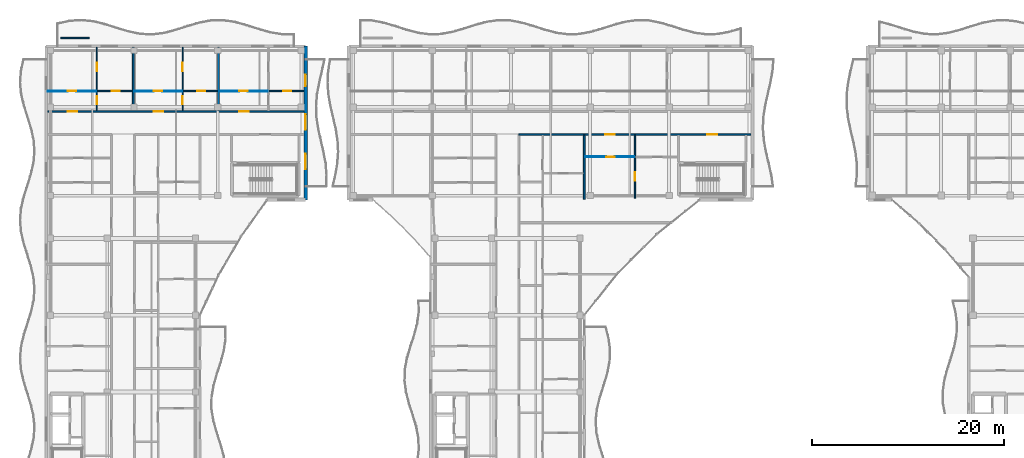
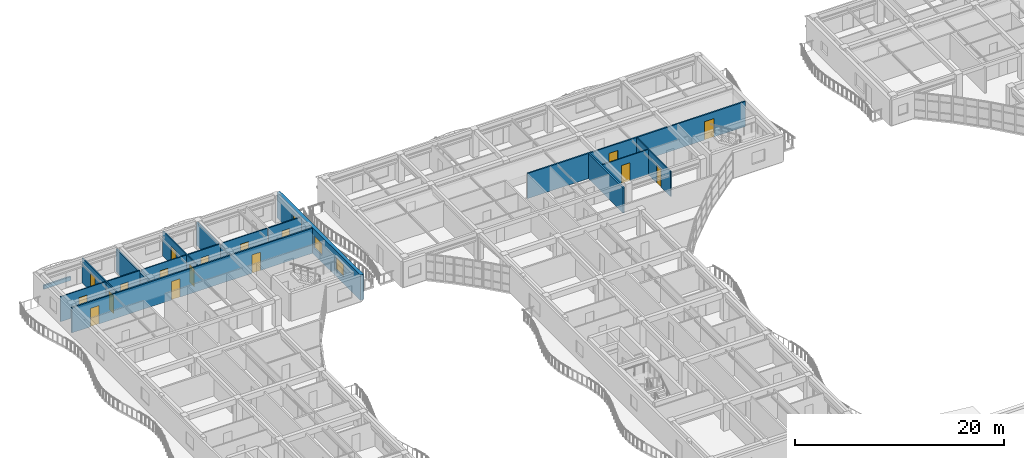
# One storey, part 89 of 128: 18 doors, 17 walls, 2 windows, 20 openings.
"""IFC4 building model written with IfcOpenShell, lengths in metres."""

from ifc_helpers import new_model, si_unit, direction, frame, frame_2d, origin, place, context, subcontext, project, spatial, rectangle, extrude, material, layer, layer_set, type_object, element, fill, save


model = new_model("IFC4")

# Units and contexts
model_context = context("Model", 3, precision=1e-05, world=origin(), true_north=direction((0.0, 1.0)))
body_context = subcontext(model_context, "Body", "Model", "MODEL_VIEW")
ifc_project = project(units=[si_unit("LENGTHUNIT", "METRE"), si_unit("AREAUNIT", "SQUARE_METRE"), si_unit("VOLUMEUNIT", "CUBIC_METRE"), si_unit("PLANEANGLEUNIT", "RADIAN"), si_unit("MASSUNIT", "GRAM", prefix="KILO")], contexts=[model_context])

# Site, building, storey
site_placement = place(None, origin())
site = spatial("IfcSite", under=ifc_project, at=site_placement, CompositionType="ELEMENT")
building_placement = place(site_placement, origin())
building = spatial("IfcBuilding", under=site, at=building_placement, Name="Keldmere Railside Commons", CompositionType="ELEMENT")
storey_placement = place(building_placement, frame((0.0, 0.0, 4.159912109375)))
storey = spatial("IfcBuildingStorey", under=building, at=storey_placement, Name="L01", CompositionType="ELEMENT", Elevation=4.159912109375)

# Walls
ifc_material_1 = material(Name="Acoustic Gypsum Board Partition", Category="gypsum")
ifc_layer_1 = layer(ifc_material_1, 0.179931640625, Name="Acoustic Demising Partition 180")
ifc_layer_set_1 = layer_set([ifc_layer_1], Name="Acoustic Gypsum Board Partition")
wall_type_1 = type_object("IfcWallType", Name="Acoustic Demising Partition 180", PredefinedType="PARTITIONING", material=ifc_layer_set_1)
for number, where, z_axis, x_axis, name in (
    (1, (17.06005859375, 109.280029296875, 0.0), (0.0, 0.0, 1.0), (0.0, 1.0, 0.0), "IW-1 IW-L01-0227"),
    (2, (25.93994140625, 109.280029296875, 0.0), (0.0, 0.0, 1.0), (0.0, 1.0, 0.0), "IW-1 IW-L01-0228"),
):
    element("IfcWall", number, at=place(storey_placement, frame(where, z_axis=z_axis, x_axis=x_axis)), inside=storey, type_object=wall_type_1, Name=name, PredefinedType="PARTITIONING", context=body_context, shape_type="SweptSolid", body=[
        extrude(rectangle(XDim=6.599853515625, YDim=0.179931640625, at=frame_2d((3.2998046875, 0.0))), origin(), (0.0, 0.0, 1.0), 2.68017578125),
    ])
wall_1_placement = place(storey_placement, frame((64.0, 100.050048828125, 0.0), z_axis=(0.0, 0.0, 1.0), x_axis=(0.0, 1.0, 0.0)))
element("IfcWall", 3, at=wall_1_placement, inside=storey, type_object=wall_type_1, Name="IW-1 IW-L01-0511", PredefinedType="PARTITIONING", context=body_context, shape_type="SweptSolid", body=[
    extrude(rectangle(XDim=6.669921875, YDim=0.179931640625, at=frame_2d((3.3349609375, 0.0))), origin(), (0.0, 0.0, 1.0), 2.93505859375),
])

# Wall, openings, doors
ifc_layer_2 = layer(ifc_material_1, 0.1201171875, Name="Apartment Interior Partition 120")
ifc_layer_set_2 = layer_set([ifc_layer_2], Name="Acoustic Gypsum Board Partition")
wall_type_2 = type_object("IfcWallType", Name="Apartment Interior Partition 120", PredefinedType="PARTITIONING", material=ifc_layer_set_2)
wall_2_placement = place(storey_placement, frame((13.280029296875, 109.280029296875, 0.0), z_axis=(0.0, 0.0, 1.0), x_axis=(0.0, 1.0, 0.0)))
wall_2 = element("IfcWall", 4, at=wall_2_placement, inside=storey, type_object=wall_type_2, Name="IW-4 IW-L01-0229", PredefinedType="PARTITIONING", context=body_context, shape_type="SweptSolid", body=[
    extrude(rectangle(XDim=6.599853515625, YDim=0.1201171875, at=frame_2d((3.2998046875, 0.0))), origin(), (0.0, 0.0, 1.0), 2.93505859375),
])
opening_1_placement = place(wall_2_placement, frame((0.656005859375, 0.0, 0.0)))
opening_1 = element("IfcOpeningElement", 5, at=opening_1_placement, cuts=wall_2, Name="Opening ID-04", PredefinedType="OPENING", context=body_context, shape_type="SweptSolid", body=[
    extrude(rectangle(XDim=0.860107421875, YDim=2.10009765625, at=frame_2d((0.43017578125, 1.050048828125))), frame((0.0, 0.070068359375, 0.0), z_axis=(0.0, -1.0, 0.0), x_axis=(1.0, 0.0, 0.0)), (0.0, 0.0, 1.0), 0.14013671875),
])
opening_2_placement = place(wall_2_placement, frame((4.097412109375, 0.0, 0.0)))
opening_2 = element("IfcOpeningElement", 6, at=opening_2_placement, cuts=wall_2, Name="Opening ID-01", PredefinedType="OPENING", context=body_context, shape_type="SweptSolid", body=[
    extrude(rectangle(XDim=0.89990234375, YDim=2.10009765625, at=frame_2d((0.449951171875, 1.050048828125))), frame((0.0, 0.070068359375, 0.0), z_axis=(0.0, -1.0, 0.0), x_axis=(1.0, 0.0, 0.0)), (0.0, 0.0, 1.0), 0.14013671875),
])
ifc_material_2 = material(Name="Engineered Oak Timber", Category="wood")
door_type_1 = type_object("IfcDoorType", Name="Apartment Bathroom Door 860x2100", OperationType="NOTDEFINED", PredefinedType="DOOR", material=ifc_material_2)
door_1_placement = place(opening_1_placement, origin())
door_1 = element("IfcDoor", 7, at=door_1_placement, inside=storey, type_object=door_type_1, Name="ID-04 IDR-L01-0137", OperationType="SINGLE_SWING_LEFT", OverallHeight=2.10009765625, OverallWidth=0.860107421875, PredefinedType="DOOR", context=body_context, shape_type="SweptSolid", body=[
    extrude(rectangle(XDim=0.860107421875, YDim=2.10009765625, at=frame_2d((0.43017578125, 1.050048828125))), frame((0.0, 0.02490234375, 0.0), z_axis=(0.0, -1.0, 0.0), x_axis=(1.0, 0.0, 0.0)), (0.0, 0.0, 1.0), 0.050048828125),
])
fill(opening_1, door_1)
door_type_2 = type_object("IfcDoorType", Name="Primary Bedroom Door 900x2100", OperationType="NOTDEFINED", PredefinedType="DOOR", material=ifc_material_2)
door_2_placement = place(opening_2_placement, origin())
door_2 = element("IfcDoor", 8, at=door_2_placement, inside=storey, type_object=door_type_2, Name="ID-01 IDR-L01-0138", OperationType="SINGLE_SWING_RIGHT", OverallHeight=2.10009765625, OverallWidth=0.89990234375, PredefinedType="DOOR", context=body_context, shape_type="SweptSolid", body=[
    extrude(rectangle(XDim=0.89990234375, YDim=2.10009765625, at=frame_2d((0.449951171875, 1.050048828125))), frame((0.0, 0.02490234375, 0.0), z_axis=(0.0, -1.0, 0.0), x_axis=(1.0, 0.0, 0.0)), (0.0, 0.0, 1.0), 0.050048828125),
])
fill(opening_2, door_2)

wall_3_placement = place(storey_placement, frame((22.199951171875, 109.280029296875, 0.0), z_axis=(0.0, 0.0, 1.0), x_axis=(0.0, 1.0, 0.0)))
wall_3 = element("IfcWall", 9, at=wall_3_placement, inside=storey, type_object=wall_type_2, Name="IW-4 IW-L01-0232", PredefinedType="PARTITIONING", context=body_context, shape_type="SweptSolid", body=[
    extrude(rectangle(XDim=6.599853515625, YDim=0.1201171875, at=frame_2d((3.2998046875, 0.0))), origin(), (0.0, 0.0, 1.0), 2.93505859375),
])
opening_3_placement = place(wall_3_placement, frame((0.656005859375, 0.0, 0.0)))
opening_3 = element("IfcOpeningElement", 10, at=opening_3_placement, cuts=wall_3, Name="Opening ID-04", PredefinedType="OPENING", context=body_context, shape_type="SweptSolid", body=[
    extrude(rectangle(XDim=0.860107421875, YDim=2.10009765625, at=frame_2d((0.43017578125, 1.050048828125))), frame((0.0, 0.070068359375, 0.0), z_axis=(0.0, -1.0, 0.0), x_axis=(1.0, 0.0, 0.0)), (0.0, 0.0, 1.0), 0.14013671875),
])
opening_4_placement = place(wall_3_placement, frame((4.097412109375, 0.0, 0.0)))
opening_4 = element("IfcOpeningElement", 11, at=opening_4_placement, cuts=wall_3, Name="Opening ID-01", PredefinedType="OPENING", context=body_context, shape_type="SweptSolid", body=[
    extrude(rectangle(XDim=0.89990234375, YDim=2.10009765625, at=frame_2d((0.449951171875, 1.050048828125))), frame((0.0, 0.070068359375, 0.0), z_axis=(0.0, -1.0, 0.0), x_axis=(1.0, 0.0, 0.0)), (0.0, 0.0, 1.0), 0.14013671875),
])
door_3_placement = place(opening_3_placement, origin())
door_3 = element("IfcDoor", 12, at=door_3_placement, inside=storey, type_object=door_type_1, Name="ID-04 IDR-L01-0142", OperationType="SINGLE_SWING_RIGHT", OverallHeight=2.10009765625, OverallWidth=0.860107421875, PredefinedType="DOOR", context=body_context, shape_type="SweptSolid", body=[
    extrude(rectangle(XDim=0.860107421875, YDim=2.10009765625, at=frame_2d((0.43017578125, 1.050048828125))), frame((0.0, 0.02490234375, 0.0), z_axis=(0.0, -1.0, 0.0), x_axis=(1.0, 0.0, 0.0)), (0.0, 0.0, 1.0), 0.050048828125),
])
fill(opening_3, door_3)
door_4_placement = place(opening_4_placement, origin())
door_4 = element("IfcDoor", 13, at=door_4_placement, inside=storey, type_object=door_type_2, Name="ID-01 IDR-L01-0143", OperationType="SINGLE_SWING_LEFT", OverallHeight=2.10009765625, OverallWidth=0.89990234375, PredefinedType="DOOR", context=body_context, shape_type="SweptSolid", body=[
    extrude(rectangle(XDim=0.89990234375, YDim=2.10009765625, at=frame_2d((0.449951171875, 1.050048828125))), frame((0.0, 0.02490234375, 0.0), z_axis=(0.0, -1.0, 0.0), x_axis=(1.0, 0.0, 0.0)), (0.0, 0.0, 1.0), 0.050048828125),
])
fill(opening_4, door_4)

# Wall, opening, door
wall_4_placement = place(storey_placement, frame((69.280029296875, 100.179931640625, 0.0), z_axis=(0.0, 0.0, 1.0), x_axis=(0.0, 1.0, 0.0)))
wall_4 = element("IfcWall", 14, at=wall_4_placement, inside=storey, type_object=wall_type_2, Name="IW-4 IW-L01-0539", PredefinedType="PARTITIONING", context=body_context, shape_type="SweptSolid", body=[
    extrude(rectangle(XDim=6.5400390625, YDim=0.1201171875, at=frame_2d((3.27001953125, 0.0))), origin(), (0.0, 0.0, 1.0), 2.93505859375),
])
opening_5_placement = place(wall_4_placement, frame((1.8017578125, 0.0, 0.0)))
opening_5 = element("IfcOpeningElement", 15, at=opening_5_placement, cuts=wall_4, Name="Opening ID-02", PredefinedType="OPENING", context=body_context, shape_type="SweptSolid", body=[
    extrude(rectangle(XDim=0.8798828125, YDim=2.10009765625, at=frame_2d((0.43994140625, 1.050048828125))), frame((0.0, 0.070068359375, 0.0), z_axis=(0.0, -1.0, 0.0), x_axis=(1.0, 0.0, 0.0)), (0.0, 0.0, 1.0), 0.14013671875),
])
door_type_3 = type_object("IfcDoorType", Name="Secondary Bedroom Door 880x2100", OperationType="NOTDEFINED", PredefinedType="DOOR", material=ifc_material_2)
door_5_placement = place(opening_5_placement, origin())
door_5 = element("IfcDoor", 16, at=door_5_placement, inside=storey, type_object=door_type_3, Name="ID-02 IDR-L01-0436", OperationType="SINGLE_SWING_RIGHT", OverallHeight=2.10009765625, OverallWidth=0.8798828125, PredefinedType="DOOR", context=body_context, shape_type="SweptSolid", body=[
    extrude(rectangle(XDim=0.8798828125, YDim=2.10009765625, at=frame_2d((0.43994140625, 1.050048828125))), frame((0.0, 0.02490234375, 0.0), z_axis=(0.0, -1.0, 0.0), x_axis=(1.0, 0.0, 0.0)), (0.0, 0.0, 1.0), 0.050048828125),
])
fill(opening_5, door_5)

# Wall
ifc_material_3 = material(Name="White Precast Concrete H-35 (C35/45)", Category="concrete")
ifc_layer_3 = layer(ifc_material_3, 0.169921875, Name="Balcony Planter Kerb Wall 170")
ifc_layer_set_3 = layer_set([ifc_layer_3], Name="White Precast Concrete H-35 (C35/45)")
wall_type_3 = type_object("IfcWallType", Name="Balcony Planter Kerb Wall 170", PredefinedType="PARAPET", material=ifc_layer_set_3)
wall_5_placement = place(storey_placement, frame((9.5, 116.85009765625, 0.0), z_axis=(0.0, 0.0, 1.0), x_axis=(1.0, 0.0, 0.0)))
element("IfcWall", 17, at=wall_5_placement, inside=storey, type_object=wall_type_3, Name="PW-2 PKBD-L01-0135", PredefinedType="PARAPET", context=body_context, shape_type="SweptSolid", body=[
    extrude(rectangle(XDim=3.0, YDim=0.169921875, at=frame_2d((1.5, 0.0))), origin(), (0.0, 0.0, 1.0), 0.4501953125),
])

# Wall, opening, door
ifc_layer_4 = layer(ifc_material_1, 0.10009765625, Name="Closet Light Partition 100")
ifc_layer_set_4 = layer_set([ifc_layer_4], Name="Acoustic Gypsum Board Partition")
wall_type_4 = type_object("IfcWallType", Name="Closet Light Partition 100", PredefinedType="PARTITIONING", material=ifc_layer_set_4)
wall_6_placement = place(storey_placement, frame((8.179931640625, 111.330078125, 0.0), z_axis=(0.0, 0.0, 1.0), x_axis=(1.0, 0.0, 0.0)))
wall_6 = element("IfcWall", 18, at=wall_6_placement, inside=storey, type_object=wall_type_4, Name="IW-6 IW-L01-0231", PredefinedType="PARTITIONING", context=body_context, shape_type="SweptSolid", body=[
    extrude(rectangle(XDim=5.0400390625, YDim=0.10009765625, at=frame_2d((2.52001953125, 0.0))), origin(), (0.0, 0.0, 1.0), 2.93505859375),
])
opening_6_placement = place(wall_6_placement, frame((2.0400390625, 0.0, 0.0)))
opening_6 = element("IfcOpeningElement", 19, at=opening_6_placement, cuts=wall_6, Name="Opening ID-03", PredefinedType="OPENING", context=body_context, shape_type="SweptSolid", body=[
    extrude(rectangle(XDim=0.919921875, YDim=2.10009765625, at=frame_2d((0.4599609375, 1.050048828125))), frame((0.0, 0.06005859375, 0.0), z_axis=(0.0, -1.0, 0.0), x_axis=(1.0, 0.0, 0.0)), (0.0, 0.0, 1.0), 0.1201171875),
])
door_type_4 = type_object("IfcDoorType", Name="Kitchen Pocket-Frame Swing Door 920x2100", OperationType="NOTDEFINED", PredefinedType="DOOR", material=ifc_material_2)
door_6_placement = place(opening_6_placement, origin())
door_6 = element("IfcDoor", 20, at=door_6_placement, inside=storey, type_object=door_type_4, Name="ID-03 IDR-L01-0136", OperationType="SINGLE_SWING_RIGHT", OverallHeight=2.10009765625, OverallWidth=0.919921875, PredefinedType="DOOR", context=body_context, shape_type="SweptSolid", body=[
    extrude(rectangle(XDim=0.919921875, YDim=2.10009765625, at=frame_2d((0.4599609375, 1.050048828125))), frame((0.0, 0.02490234375, 0.0), z_axis=(0.0, -1.0, 0.0), x_axis=(1.0, 0.0, 0.0)), (0.0, 0.0, 1.0), 0.050048828125),
])
fill(opening_6, door_6)

wall_7_placement = place(storey_placement, frame((17.14990234375, 111.330078125, 0.0), z_axis=(0.0, 0.0, 1.0), x_axis=(1.0, 0.0, 0.0)))
wall_7 = element("IfcWall", 21, at=wall_7_placement, inside=storey, type_object=wall_type_4, Name="IW-6 IW-L01-0234", PredefinedType="PARTITIONING", context=body_context, shape_type="SweptSolid", body=[
    extrude(rectangle(XDim=4.989990234375, YDim=0.10009765625, at=frame_2d((2.4951171875, 0.0))), origin(), (0.0, 0.0, 1.0), 2.93505859375),
])
opening_7_placement = place(wall_7_placement, frame((2.02001953125, 0.0, 0.0)))
opening_7 = element("IfcOpeningElement", 22, at=opening_7_placement, cuts=wall_7, Name="Opening ID-03", PredefinedType="OPENING", context=body_context, shape_type="SweptSolid", body=[
    extrude(rectangle(XDim=0.919921875, YDim=2.10009765625, at=frame_2d((0.4599609375, 1.050048828125))), frame((0.0, 0.06005859375, 0.0), z_axis=(0.0, -1.0, 0.0), x_axis=(1.0, 0.0, 0.0)), (0.0, 0.0, 1.0), 0.1201171875),
])
door_7_placement = place(opening_7_placement, origin())
door_7 = element("IfcDoor", 23, at=door_7_placement, inside=storey, type_object=door_type_4, Name="ID-03 IDR-L01-0141", OperationType="SINGLE_SWING_LEFT", OverallHeight=2.10009765625, OverallWidth=0.919921875, PredefinedType="DOOR", context=body_context, shape_type="SweptSolid", body=[
    extrude(rectangle(XDim=0.919921875, YDim=2.10009765625, at=frame_2d((0.4599609375, 1.050048828125))), frame((0.0, 0.02490234375, 0.0), z_axis=(0.0, -1.0, 0.0), x_axis=(1.0, 0.0, 0.0)), (0.0, 0.0, 1.0), 0.050048828125),
])
fill(opening_7, door_7)

wall_8_placement = place(storey_placement, frame((26.030029296875, 111.330078125, 0.0), z_axis=(0.0, 0.0, 1.0), x_axis=(1.0, 0.0, 0.0)))
wall_8 = element("IfcWall", 24, at=wall_8_placement, inside=storey, type_object=wall_type_4, Name="IW-6 IW-L01-0237", PredefinedType="PARTITIONING", context=body_context, shape_type="SweptSolid", body=[
    extrude(rectangle(XDim=5.0400390625, YDim=0.10009765625, at=frame_2d((2.52001953125, 0.0))), origin(), (0.0, 0.0, 1.0), 2.93505859375),
])
opening_8_placement = place(wall_8_placement, frame((2.0400390625, 0.0, 0.0)))
opening_8 = element("IfcOpeningElement", 25, at=opening_8_placement, cuts=wall_8, Name="Opening ID-03", PredefinedType="OPENING", context=body_context, shape_type="SweptSolid", body=[
    extrude(rectangle(XDim=0.919921875, YDim=2.10009765625, at=frame_2d((0.4599609375, 1.050048828125))), frame((0.0, 0.06005859375, 0.0), z_axis=(0.0, -1.0, 0.0), x_axis=(1.0, 0.0, 0.0)), (0.0, 0.0, 1.0), 0.1201171875),
])
door_8_placement = place(opening_8_placement, origin())
door_8 = element("IfcDoor", 26, at=door_8_placement, inside=storey, type_object=door_type_4, Name="ID-03 IDR-L01-0146", OperationType="SINGLE_SWING_RIGHT", OverallHeight=2.10009765625, OverallWidth=0.919921875, PredefinedType="DOOR", context=body_context, shape_type="SweptSolid", body=[
    extrude(rectangle(XDim=0.919921875, YDim=2.10009765625, at=frame_2d((0.4599609375, 1.050048828125))), frame((0.0, 0.02490234375, 0.0), z_axis=(0.0, -1.0, 0.0), x_axis=(1.0, 0.0, 0.0)), (0.0, 0.0, 1.0), 0.050048828125),
])
fill(opening_8, door_8)

wall_9_placement = place(storey_placement, frame((64.090087890625, 104.469970703125, 0.0), z_axis=(0.0, 0.0, 1.0), x_axis=(1.0, 0.0, 0.0)))
wall_9 = element("IfcWall", 27, at=wall_9_placement, inside=storey, type_object=wall_type_4, Name="IW-6 IW-L01-0541", PredefinedType="PARTITIONING", context=body_context, shape_type="SweptSolid", body=[
    extrude(rectangle(XDim=5.1298828125, YDim=0.10009765625, at=frame_2d((2.56494140625, 0.0))), origin(), (0.0, 0.0, 1.0), 2.93505859375),
])
opening_9_placement = place(wall_9_placement, frame((2.1796875, 0.0, 0.0)))
opening_9 = element("IfcOpeningElement", 28, at=opening_9_placement, cuts=wall_9, Name="Opening ID-03", PredefinedType="OPENING", context=body_context, shape_type="SweptSolid", body=[
    extrude(rectangle(XDim=0.919921875, YDim=2.10009765625, at=frame_2d((0.4599609375, 1.050048828125))), frame((0.0, 0.06005859375, 0.0), z_axis=(0.0, -1.0, 0.0), x_axis=(1.0, 0.0, 0.0)), (0.0, 0.0, 1.0), 0.1201171875),
])
door_9_placement = place(opening_9_placement, origin())
door_9 = element("IfcDoor", 29, at=door_9_placement, inside=storey, type_object=door_type_4, Name="ID-03 IDR-L01-0435", OperationType="SINGLE_SWING_LEFT", OverallHeight=2.10009765625, OverallWidth=0.919921875, PredefinedType="DOOR", context=body_context, shape_type="SweptSolid", body=[
    extrude(rectangle(XDim=0.919921875, YDim=2.10009765625, at=frame_2d((0.4599609375, 1.050048828125))), frame((0.0, 0.02490234375, 0.0), z_axis=(0.0, -1.0, 0.0), x_axis=(1.0, 0.0, 0.0)), (0.0, 0.0, 1.0), 0.050048828125),
])
fill(opening_9, door_9)

# Wall, openings, doors
ifc_layer_5 = layer(ifc_material_1, 0.159912109375, Name="Corridor Fire Partition 160")
ifc_layer_set_5 = layer_set([ifc_layer_5], Name="Acoustic Gypsum Board Partition")
wall_type_5 = type_object("IfcWallType", Name="Corridor Fire Partition 160", PredefinedType="PARTITIONING", material=ifc_layer_set_5)
wall_10_placement = place(storey_placement, frame((8.179931640625, 109.199951171875, 0.0), z_axis=(0.0, 0.0, 1.0), x_axis=(1.0, 0.0, 0.0)))
wall_10 = element("IfcWall", 30, at=wall_10_placement, inside=storey, type_object=wall_type_5, Name="IW-2 IW-L01-0206", PredefinedType="PARTITIONING", context=body_context, shape_type="SweptSolid", body=[
    extrude(rectangle(XDim=26.64013671875, YDim=0.159912109375, at=frame_2d((13.320068359375, 0.0))), origin(), (0.0, 0.0, 1.0), 2.93505859375),
])
opening_10_placement = place(wall_10_placement, frame((2.06005859375, 0.0, 0.0)))
opening_10 = element("IfcOpeningElement", 31, at=opening_10_placement, cuts=wall_10, Name="Opening FD-7", PredefinedType="OPENING", context=body_context, shape_type="SweptSolid", body=[
    extrude(rectangle(XDim=0.97998046875, YDim=2.14990234375, at=frame_2d((0.489990234375, 1.074951171875))), frame((0.0, 0.08984375, 0.0), z_axis=(0.0, -1.0, 0.0), x_axis=(1.0, 0.0, 0.0)), (0.0, 0.0, 1.0), 0.179931640625),
])
opening_11_placement = place(wall_10_placement, frame((11.0048828125, 0.0, 0.0)))
opening_11 = element("IfcOpeningElement", 32, at=opening_11_placement, cuts=wall_10, Name="Opening FD-7", PredefinedType="OPENING", context=body_context, shape_type="SweptSolid", body=[
    extrude(rectangle(XDim=0.97998046875, YDim=2.14990234375, at=frame_2d((0.489990234375, 1.074951171875))), frame((0.0, 0.08984375, 0.0), z_axis=(0.0, -1.0, 0.0), x_axis=(1.0, 0.0, 0.0)), (0.0, 0.0, 1.0), 0.179931640625),
])
opening_12_placement = place(wall_10_placement, frame((19.909912109375, 0.0, 0.0)))
opening_12 = element("IfcOpeningElement", 33, at=opening_12_placement, cuts=wall_10, Name="Opening FD-7", PredefinedType="OPENING", context=body_context, shape_type="SweptSolid", body=[
    extrude(rectangle(XDim=0.97998046875, YDim=2.14990234375, at=frame_2d((0.489990234375, 1.074951171875))), frame((0.0, 0.08984375, 0.0), z_axis=(0.0, -1.0, 0.0), x_axis=(1.0, 0.0, 0.0)), (0.0, 0.0, 1.0), 0.179931640625),
])
door_type_5 = type_object("IfcDoorType", Name="Apartment Entrance Acoustic Fire Door 980x2150", OperationType="NOTDEFINED", PredefinedType="DOOR", material=ifc_material_2)
door_10_placement = place(opening_10_placement, origin())
door_10 = element("IfcDoor", 34, at=door_10_placement, inside=storey, type_object=door_type_5, Name="FD-7 IDR-L01-0135", OperationType="SINGLE_SWING_LEFT", OverallHeight=2.14990234375, OverallWidth=0.97998046875, PredefinedType="DOOR", context=body_context, shape_type="SweptSolid", body=[
    extrude(rectangle(XDim=0.97998046875, YDim=2.14990234375, at=frame_2d((0.489990234375, 1.074951171875))), frame((0.0, 0.02490234375, 0.0), z_axis=(0.0, -1.0, 0.0), x_axis=(1.0, 0.0, 0.0)), (0.0, 0.0, 1.0), 0.050048828125),
])
fill(opening_10, door_10)
door_11_placement = place(opening_11_placement, origin())
door_11 = element("IfcDoor", 35, at=door_11_placement, inside=storey, type_object=door_type_5, Name="FD-7 IDR-L01-0140", OperationType="SINGLE_SWING_RIGHT", OverallHeight=2.14990234375, OverallWidth=0.97998046875, PredefinedType="DOOR", context=body_context, shape_type="SweptSolid", body=[
    extrude(rectangle(XDim=0.97998046875, YDim=2.14990234375, at=frame_2d((0.489990234375, 1.074951171875))), frame((0.0, 0.02490234375, 0.0), z_axis=(0.0, -1.0, 0.0), x_axis=(1.0, 0.0, 0.0)), (0.0, 0.0, 1.0), 0.050048828125),
])
fill(opening_11, door_11)
door_12_placement = place(opening_12_placement, origin())
door_12 = element("IfcDoor", 36, at=door_12_placement, inside=storey, type_object=door_type_5, Name="FD-7 IDR-L01-0145", OperationType="SINGLE_SWING_LEFT", OverallHeight=2.14990234375, OverallWidth=0.97998046875, PredefinedType="DOOR", context=body_context, shape_type="SweptSolid", body=[
    extrude(rectangle(XDim=0.97998046875, YDim=2.14990234375, at=frame_2d((0.489990234375, 1.074951171875))), frame((0.0, 0.02490234375, 0.0), z_axis=(0.0, -1.0, 0.0), x_axis=(1.0, 0.0, 0.0)), (0.0, 0.0, 1.0), 0.050048828125),
])
fill(opening_12, door_12)

wall_11_placement = place(storey_placement, frame((57.199951171875, 106.800048828125, 0.0), z_axis=(0.0, 0.0, 1.0), x_axis=(1.0, 0.0, 0.0)))
wall_11 = element("IfcWall", 37, at=wall_11_placement, inside=storey, type_object=wall_type_5, Name="IW-2 IW-L01-0509", PredefinedType="PARTITIONING", context=body_context, shape_type="SweptSolid", body=[
    extrude(rectangle(XDim=24.1201171875, YDim=0.159912109375, at=frame_2d((12.06005859375, 0.0))), origin(), (0.0, 0.0, 1.0), 2.93505859375),
])
opening_13_placement = place(wall_11_placement, frame((19.574951171875, 0.0, 0.0)))
opening_13 = element("IfcOpeningElement", 38, at=opening_13_placement, cuts=wall_11, Name="Opening FD-1", PredefinedType="OPENING", context=body_context, shape_type="SweptSolid", body=[
    extrude(rectangle(XDim=1.050048828125, YDim=2.14990234375, at=frame_2d((0.52490234375, 1.074951171875))), frame((0.0, 0.08984375, 0.0), z_axis=(0.0, -1.0, 0.0), x_axis=(1.0, 0.0, 0.0)), (0.0, 0.0, 1.0), 0.179931640625),
])
opening_14_placement = place(wall_11_placement, frame((8.9951171875, 0.0, 0.0)))
opening_14 = element("IfcOpeningElement", 39, at=opening_14_placement, cuts=wall_11, Name="Opening FD-7", PredefinedType="OPENING", context=body_context, shape_type="SweptSolid", body=[
    extrude(rectangle(XDim=0.97998046875, YDim=2.14990234375, at=frame_2d((0.489990234375, 1.074951171875))), frame((0.0, 0.08984375, 0.0), z_axis=(0.0, -1.0, 0.0), x_axis=(1.0, 0.0, 0.0)), (0.0, 0.0, 1.0), 0.179931640625),
])
door_13_placement = place(opening_14_placement, origin())
door_13 = element("IfcDoor", 40, at=door_13_placement, inside=storey, type_object=door_type_5, Name="FD-7 IDR-L01-0434", OperationType="SINGLE_SWING_RIGHT", OverallHeight=2.14990234375, OverallWidth=0.97998046875, PredefinedType="DOOR", context=body_context, shape_type="SweptSolid", body=[
    extrude(rectangle(XDim=0.97998046875, YDim=2.14990234375, at=frame_2d((0.489990234375, 1.074951171875))), frame((0.0, 0.02490234375, 0.0), z_axis=(0.0, -1.0, 0.0), x_axis=(1.0, 0.0, 0.0)), (0.0, 0.0, 1.0), 0.050048828125),
])
fill(opening_14, door_13)
ifc_material_4 = material(Name="Steel F-24 (S235)", Category="steel")
door_type_6 = type_object("IfcDoorType", Name="Stair Core Fire Door 1050x2150", OperationType="NOTDEFINED", PredefinedType="DOOR", material=ifc_material_4)
door_14_placement = place(opening_13_placement, origin())
door_14 = element("IfcDoor", 41, at=door_14_placement, inside=storey, type_object=door_type_6, Name="FD-1 IDR-L01-0403", OperationType="SINGLE_SWING_LEFT", OverallHeight=2.14990234375, OverallWidth=1.050048828125, PredefinedType="DOOR", context=body_context, shape_type="SweptSolid", body=[
    extrude(rectangle(XDim=1.050048828125, YDim=2.14990234375, at=frame_2d((0.52490234375, 1.074951171875))), frame((0.0, 0.02490234375, 0.0), z_axis=(0.0, -1.0, 0.0), x_axis=(1.0, 0.0, 0.0)), (0.0, 0.0, 1.0), 0.050048828125),
])
fill(opening_13, door_14)

# Wall, openings, door, windows
ifc_material_5 = material(Name="Concrete H-35 (C35/45)", Category="concrete")
ifc_layer_6 = layer(ifc_material_5, 0.360107421875, Name="Exterior Shear Wall 360")
ifc_layer_set_6 = layer_set([ifc_layer_6], Name="Concrete H-35 (C35/45)")
wall_type_6 = type_object("IfcWallType", Name="Exterior Shear Wall 360", PredefinedType="SHEAR", material=ifc_layer_set_6)
wall_12_placement = place(storey_placement, frame((35.0, 116.0, 0.0), z_axis=(0.0, 0.0, 1.0), x_axis=(0.0, -1.0, 0.0)))
wall_12 = element("IfcWall", 42, at=wall_12_placement, inside=storey, type_object=wall_type_6, Name="ESW-1 EXTD-L01-0132", PredefinedType="SHEAR", context=body_context, shape_type="SweptSolid", body=[
    extrude(rectangle(XDim=16.0, YDim=0.360107421875, at=frame_2d((8.0, 0.0))), origin(), (0.0, 0.0, 1.0), 2.97998046875),
])
opening_15_placement = place(wall_12_placement, frame((2.949951171875, 0.0, 0.0)))
opening_15 = element("IfcOpeningElement", 43, at=opening_15_placement, cuts=wall_12, Name="Opening BD-01", PredefinedType="OPENING", context=body_context, shape_type="SweptSolid", body=[
    extrude(rectangle(XDim=1.199951171875, YDim=2.199951171875, at=frame_2d((0.60009765625, 1.10009765625))), frame((0.0, 0.18994140625, 0.0), z_axis=(0.0, -1.0, 0.0), x_axis=(1.0, 0.0, 0.0)), (0.0, 0.0, 1.0), 0.380126953125),
])
opening_16_placement = place(wall_12_placement, frame((7.10009765625, 0.0, 0.77001953125)))
opening_16 = element("IfcOpeningElement", 44, at=opening_16_placement, cuts=wall_12, Name="Opening WN-04", PredefinedType="OPENING", context=body_context, shape_type="SweptSolid", body=[
    extrude(rectangle(XDim=1.60009765625, YDim=1.449951171875, at=frame_2d((0.800048828125, 0.72509765625))), frame((0.0, 0.18994140625, 0.0), z_axis=(0.0, -1.0, 0.0), x_axis=(1.0, 0.0, 0.0)), (0.0, 0.0, 1.0), 0.380126953125),
])
opening_17_placement = place(wall_12_placement, frame((11.199951171875, 0.0, 0.77001953125)))
opening_17 = element("IfcOpeningElement", 45, at=opening_17_placement, cuts=wall_12, Name="Opening WN-04", PredefinedType="OPENING", context=body_context, shape_type="SweptSolid", body=[
    extrude(rectangle(XDim=1.60009765625, YDim=1.449951171875, at=frame_2d((0.800048828125, 0.72509765625))), frame((0.0, 0.18994140625, 0.0), z_axis=(0.0, -1.0, 0.0), x_axis=(1.0, 0.0, 0.0)), (0.0, 0.0, 1.0), 0.380126953125),
])
ifc_material_6 = material(Name="Thermally Broken Aluminium", Category="aluminium")
door_type_7 = type_object("IfcDoorType", Name="Apartment Living Wave-Balcony Glazed Door 1200x2200", OperationType="NOTDEFINED", PredefinedType="DOOR", material=ifc_material_6)
door_15_placement = place(opening_15_placement, origin())
door_15 = element("IfcDoor", 46, at=door_15_placement, inside=storey, type_object=door_type_7, Name="BD-01 DR-L01-0009", OperationType="SINGLE_SWING_LEFT", OverallHeight=2.199951171875, OverallWidth=1.199951171875, PredefinedType="DOOR", context=body_context, shape_type="SweptSolid", body=[
    extrude(rectangle(XDim=1.199951171875, YDim=2.199951171875, at=frame_2d((0.60009765625, 1.10009765625))), frame((0.0, 0.02490234375, 0.0), z_axis=(0.0, -1.0, 0.0), x_axis=(1.0, 0.0, 0.0)), (0.0, 0.0, 1.0), 0.050048828125),
])
fill(opening_15, door_15)
ifc_material_7 = material(Name="Low-E Insulated Double Glazing", Category="glass")
window_type = type_object("IfcWindowType", Name="Living Room West Shaded Window 1600x1450", PartitioningType="SINGLE_PANEL", PredefinedType="WINDOW", material=ifc_material_7)
window_1_placement = place(opening_16_placement, origin())
window_1 = element("IfcWindow", 47, at=window_1_placement, inside=storey, type_object=window_type, Name="WN-04 WIN-L01-0035", OverallHeight=1.449951171875, OverallWidth=1.60009765625, PartitioningType="SINGLE_PANEL", PredefinedType="WINDOW", context=body_context, shape_type="SweptSolid", body=[
    extrude(rectangle(XDim=1.60009765625, YDim=1.449951171875, at=frame_2d((0.800048828125, 0.72509765625))), frame((0.0, 0.030029296875, 0.0), z_axis=(0.0, -1.0, 0.0), x_axis=(1.0, 0.0, 0.0)), (0.0, 0.0, 1.0), 0.06005859375),
])
fill(opening_16, window_1)
window_2_placement = place(opening_17_placement, origin())
window_2 = element("IfcWindow", 48, at=window_2_placement, inside=storey, type_object=window_type, Name="WN-04 WIN-L01-0036", OverallHeight=1.449951171875, OverallWidth=1.60009765625, PartitioningType="SINGLE_PANEL", PredefinedType="WINDOW", context=body_context, shape_type="SweptSolid", body=[
    extrude(rectangle(XDim=1.60009765625, YDim=1.449951171875, at=frame_2d((0.800048828125, 0.72509765625))), frame((0.0, 0.030029296875, 0.0), z_axis=(0.0, -1.0, 0.0), x_axis=(1.0, 0.0, 0.0)), (0.0, 0.0, 1.0), 0.06005859375),
])
fill(opening_17, window_2)

# Wall, opening, door
ifc_layer_7 = layer(ifc_material_1, 0.139892578125, Name="Wet-Room Sanitary Partition 140")
ifc_layer_set_7 = layer_set([ifc_layer_7], Name="Acoustic Gypsum Board Partition")
wall_type_7 = type_object("IfcWallType", Name="Wet-Room Sanitary Partition 140", PredefinedType="PARTITIONING", material=ifc_layer_set_7)
wall_13_placement = place(storey_placement, frame((13.340087890625, 111.330078125, 0.0), z_axis=(0.0, 0.0, 1.0), x_axis=(1.0, 0.0, 0.0)))
wall_13 = element("IfcWall", 49, at=wall_13_placement, inside=storey, type_object=wall_type_7, Name="IW-5 IW-L01-0230", PredefinedType="PARTITIONING", context=body_context, shape_type="SweptSolid", body=[
    extrude(rectangle(XDim=3.6298828125, YDim=0.139892578125, at=frame_2d((1.81494140625, 0.0))), origin(), (0.0, 0.0, 1.0), 2.93505859375),
])
opening_18_placement = place(wall_13_placement, frame((1.47607421875, 0.0, 0.0)))
opening_18 = element("IfcOpeningElement", 50, at=opening_18_placement, cuts=wall_13, Name="Opening ID-06", PredefinedType="OPENING", context=body_context, shape_type="SweptSolid", body=[
    extrude(rectangle(XDim=0.85009765625, YDim=2.050048828125, at=frame_2d((0.425048828125, 1.02490234375))), frame((0.0, 0.079833984375, 0.0), z_axis=(0.0, -1.0, 0.0), x_axis=(1.0, 0.0, 0.0)), (0.0, 0.0, 1.0), 0.159912109375),
])
door_type_8 = type_object("IfcDoorType", Name="Storage Closet Door 850x2050", OperationType="NOTDEFINED", PredefinedType="DOOR", material=ifc_material_2)
door_16_placement = place(opening_18_placement, origin())
door_16 = element("IfcDoor", 51, at=door_16_placement, inside=storey, type_object=door_type_8, Name="ID-06 IDR-L01-0139", OperationType="SINGLE_SWING_LEFT", OverallHeight=2.050048828125, OverallWidth=0.85009765625, PredefinedType="DOOR", context=body_context, shape_type="SweptSolid", body=[
    extrude(rectangle(XDim=0.85009765625, YDim=2.050048828125, at=frame_2d((0.425048828125, 1.02490234375))), frame((0.0, 0.02490234375, 0.0), z_axis=(0.0, -1.0, 0.0), x_axis=(1.0, 0.0, 0.0)), (0.0, 0.0, 1.0), 0.050048828125),
])
fill(opening_18, door_16)

wall_14_placement = place(storey_placement, frame((22.260009765625, 111.330078125, 0.0), z_axis=(0.0, 0.0, 1.0), x_axis=(1.0, 0.0, 0.0)))
wall_14 = element("IfcWall", 52, at=wall_14_placement, inside=storey, type_object=wall_type_7, Name="IW-5 IW-L01-0233", PredefinedType="PARTITIONING", context=body_context, shape_type="SweptSolid", body=[
    extrude(rectangle(XDim=3.590087890625, YDim=0.139892578125, at=frame_2d((1.794921875, 0.0))), origin(), (0.0, 0.0, 1.0), 2.93505859375),
])
opening_19_placement = place(wall_14_placement, frame((1.4599609375, 0.0, 0.0)))
opening_19 = element("IfcOpeningElement", 53, at=opening_19_placement, cuts=wall_14, Name="Opening ID-06", PredefinedType="OPENING", context=body_context, shape_type="SweptSolid", body=[
    extrude(rectangle(XDim=0.85009765625, YDim=2.050048828125, at=frame_2d((0.425048828125, 1.02490234375))), frame((0.0, 0.079833984375, 0.0), z_axis=(0.0, -1.0, 0.0), x_axis=(1.0, 0.0, 0.0)), (0.0, 0.0, 1.0), 0.159912109375),
])
door_17_placement = place(opening_19_placement, origin())
door_17 = element("IfcDoor", 54, at=door_17_placement, inside=storey, type_object=door_type_8, Name="ID-06 IDR-L01-0144", OperationType="SINGLE_SWING_RIGHT", OverallHeight=2.050048828125, OverallWidth=0.85009765625, PredefinedType="DOOR", context=body_context, shape_type="SweptSolid", body=[
    extrude(rectangle(XDim=0.85009765625, YDim=2.050048828125, at=frame_2d((0.425048828125, 1.02490234375))), frame((0.0, 0.02490234375, 0.0), z_axis=(0.0, -1.0, 0.0), x_axis=(1.0, 0.0, 0.0)), (0.0, 0.0, 1.0), 0.050048828125),
])
fill(opening_19, door_17)

wall_15_placement = place(storey_placement, frame((31.18994140625, 111.330078125, 0.0), z_axis=(0.0, 0.0, 1.0), x_axis=(1.0, 0.0, 0.0)))
wall_15 = element("IfcWall", 55, at=wall_15_placement, inside=storey, type_object=wall_type_7, Name="IW-5 IW-L01-0236", PredefinedType="PARTITIONING", context=body_context, shape_type="SweptSolid", body=[
    extrude(rectangle(XDim=3.630126953125, YDim=0.139892578125, at=frame_2d((1.81494140625, 0.0))), origin(), (0.0, 0.0, 1.0), 2.93505859375),
])
opening_20_placement = place(wall_15_placement, frame((1.47607421875, 0.0, 0.0)))
opening_20 = element("IfcOpeningElement", 56, at=opening_20_placement, cuts=wall_15, Name="Opening ID-06", PredefinedType="OPENING", context=body_context, shape_type="SweptSolid", body=[
    extrude(rectangle(XDim=0.85009765625, YDim=2.050048828125, at=frame_2d((0.425048828125, 1.02490234375))), frame((0.0, 0.079833984375, 0.0), z_axis=(0.0, -1.0, 0.0), x_axis=(1.0, 0.0, 0.0)), (0.0, 0.0, 1.0), 0.159912109375),
])
door_18_placement = place(opening_20_placement, origin())
door_18 = element("IfcDoor", 57, at=door_18_placement, inside=storey, type_object=door_type_8, Name="ID-06 IDR-L01-0149", OperationType="SINGLE_SWING_LEFT", OverallHeight=2.050048828125, OverallWidth=0.85009765625, PredefinedType="DOOR", context=body_context, shape_type="SweptSolid", body=[
    extrude(rectangle(XDim=0.85009765625, YDim=2.050048828125, at=frame_2d((0.425048828125, 1.02490234375))), frame((0.0, 0.02490234375, 0.0), z_axis=(0.0, -1.0, 0.0), x_axis=(1.0, 0.0, 0.0)), (0.0, 0.0, 1.0), 0.050048828125),
])
fill(opening_20, door_18)

save(model, "model.ifc")
